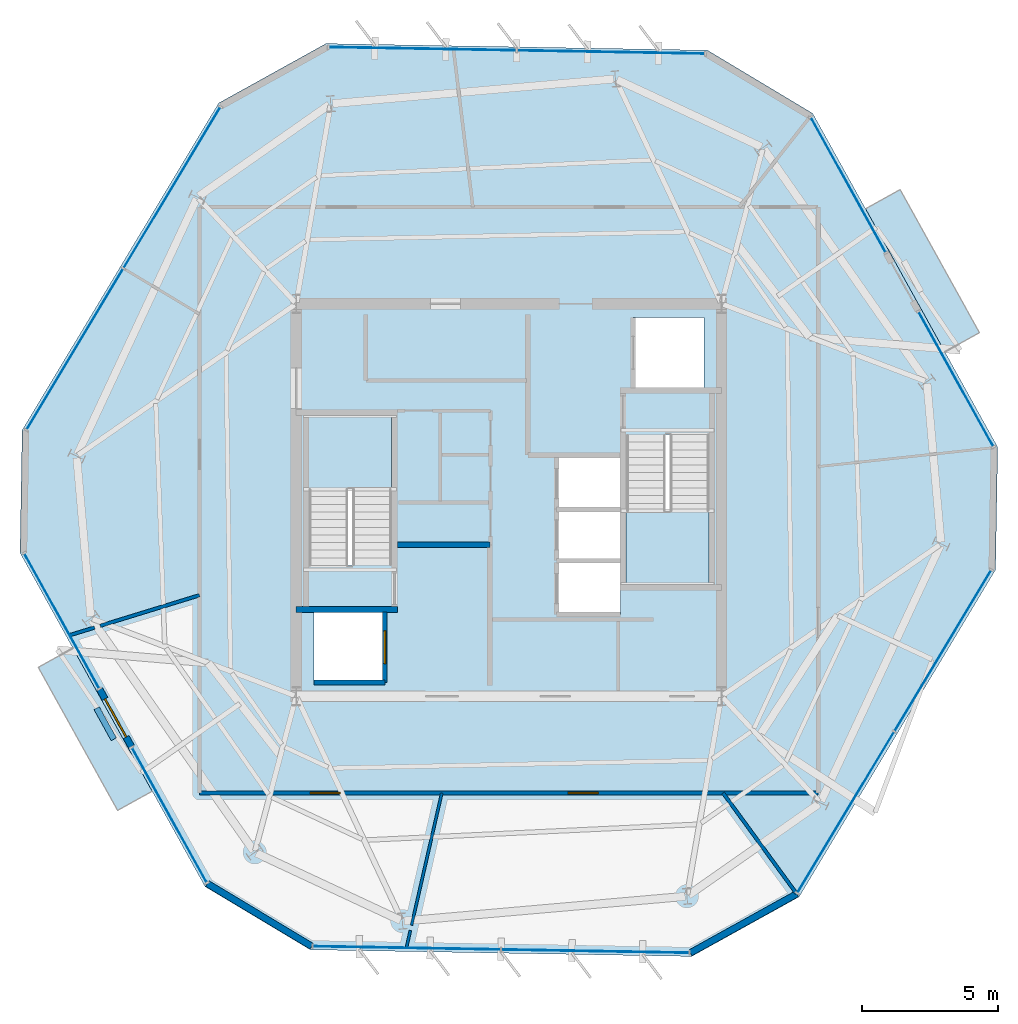
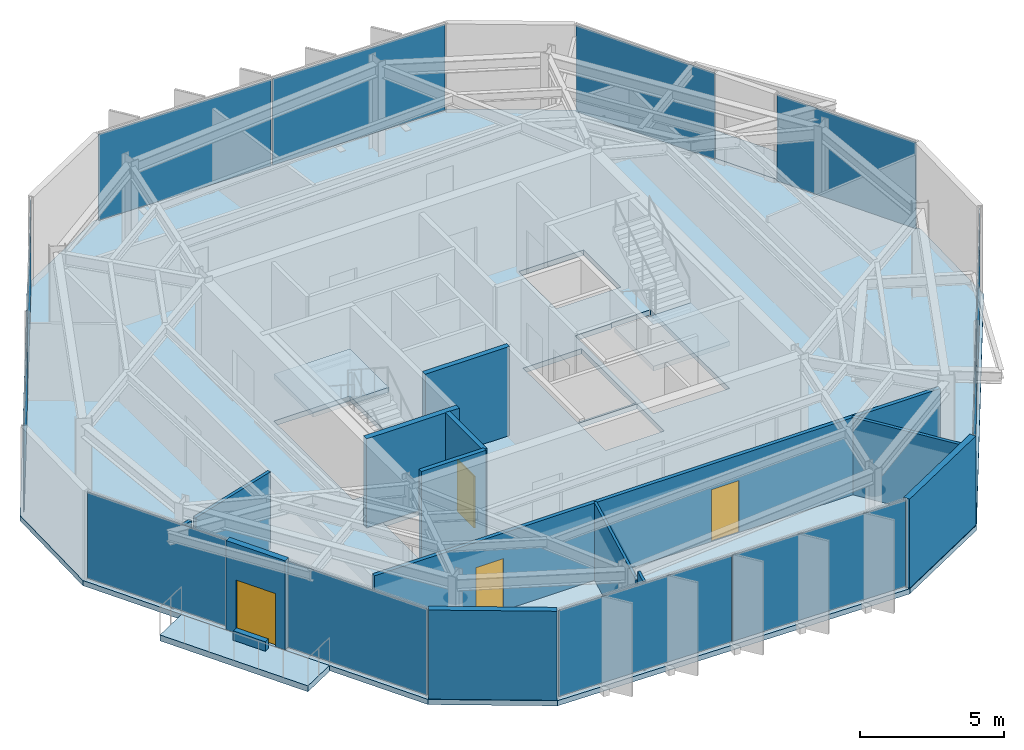
# One storey, part 6 of 10: 14 walls, 12 plates, 5 slabs, 4 doors, 4 openings, 10 elements without a shape of their own.
"""IFC4 building model written with IfcOpenShell, lengths in metres."""

from ifc_helpers import new_model, si_unit, direction, frame, frame_2d, origin, origin_2d, place, context, subcontext, project, spatial, polyline, rectangle, outline, extrude, material, layer, layer_set, type_object, element, fill, aggregate, save


model = new_model("IFC4")

# Units and contexts
model_context = context("Model", 3, precision=1e-05, world=origin(), true_north=direction((0.0, 1.0)))
body_context = subcontext(model_context, "Body", "Model", "MODEL_VIEW")
ifc_project = project(units=[si_unit("LENGTHUNIT", "METRE"), si_unit("AREAUNIT", "SQUARE_METRE"), si_unit("VOLUMEUNIT", "CUBIC_METRE"), si_unit("PLANEANGLEUNIT", "RADIAN"), si_unit("MASSUNIT", "GRAM", prefix="KILO")], contexts=[model_context])

# Site, building, storey
site_placement = place(None, origin())
site = spatial("IfcSite", under=ifc_project, at=site_placement, CompositionType="ELEMENT")
building_placement = place(site_placement, origin())
building = spatial("IfcBuilding", under=site, at=building_placement, Name="Kranzbogen Civic Tower", CompositionType="ELEMENT")
storey_placement = place(building_placement, frame((0.0, 0.0, 262.199951171875)))
storey = spatial("IfcBuildingStorey", under=building, at=storey_placement, Name="L63", CompositionType="ELEMENT", Elevation=262.199951171875)

# Slab
ifc_material_1 = material(Name="Concrete C40/50", Category="concrete")
ifc_layer_1 = layer(ifc_material_1, 0.219970703125, Name="Concrete C40/50")
ifc_layer_set_1 = layer_set([ifc_layer_1], Name="Concrete C40/50")
slab_type_1 = type_object("IfcSlabType", Name="Composite Upper Tower Floor Slab 220 mm", PredefinedType="FLOOR", material=ifc_layer_set_1)
slab_1_placement = place(storey_placement, frame((0.0, 0.0, -0.219970703125)))
element("IfcSlab", 1, at=slab_1_placement, inside=storey, type_object=slab_type_1, Name="L63 tower floor slab", PredefinedType="FLOOR", context=body_context, shape_type="SweptSolid", body=[
    extrude(outline(polyline([(32.2890625, 41.5), (18.291015625, 41.7451171875), (14.35498046875, 39.56298828125), (7.14404296875, 27.56201171875), (7.06591796875, 23.06298828125), (13.85302734375, 10.81689453125), (17.7109375, 8.5), (31.708984375, 8.2548828125), (35.64501953125, 10.43701171875), (42.85595703125, 22.43798828125), (42.93408203125, 26.93701171875), (36.14697265625, 39.18310546875), (32.2890625, 41.5)]), holes=[polyline([(17.85009765625, 20.89990234375), (20.449951171875, 20.89990234375), (20.449951171875, 18.300048828125), (17.85009765625, 18.300048828125), (17.85009765625, 20.89990234375)]), polyline([(29.10009765625, 22.699951171875), (29.10009765625, 20.800048828125), (26.75, 20.800048828125), (26.75, 22.699951171875), (29.10009765625, 22.699951171875)]), polyline([(29.10009765625, 24.64990234375), (29.10009765625, 22.77490234375), (26.75, 22.77490234375), (26.75, 24.64990234375), (26.75, 24.675048828125), (26.75, 26.550048828125), (29.10009765625, 26.550048828125), (29.10009765625, 24.675048828125), (29.10009765625, 24.64990234375)]), polyline([(29.300048828125, 27.340087890625), (30.75, 27.340087890625), (30.75, 27.39990234375), (32.35009765625, 27.39990234375), (32.35009765625, 21.89990234375), (29.300048828125, 21.89990234375), (29.300048828125, 27.340087890625)]), polyline([(20.699951171875, 22.659912109375), (19.25, 22.659912109375), (19.25, 22.60009765625), (17.64990234375, 22.60009765625), (17.64990234375, 28.10009765625), (20.699951171875, 28.10009765625), (20.699951171875, 22.659912109375)]), polyline([(32.14990234375, 31.699951171875), (32.14990234375, 29.10009765625), (29.550048828125, 29.10009765625), (29.550048828125, 31.699951171875), (32.14990234375, 31.699951171875)])]), origin(), (0.0, 0.0, 1.0), 0.219970703125),
])

# Curtain wall, plates
ifc_material_2 = material(Name="Pale Anodised Aluminium", Category="aluminium")
ifc_layer_2 = layer(ifc_material_2, 0.219970703125, Name="Pale Anodised Aluminium")
ifc_layer_set_2 = layer_set([ifc_layer_2], Name="Pale Anodised Aluminium")
curtain_wall_type = type_object("IfcCurtainWallType", Name="Zone 4 Stick Curtain Wall System CW-05", PredefinedType="USERDEFINED", material=ifc_layer_set_2)
curtain_wall_1_placement = place(storey_placement, origin())
curtain_wall_1 = element("IfcCurtainWall", 2, at=curtain_wall_1_placement, inside=storey, type_object=curtain_wall_type, Name="L63 curtain wall CW-L63-F1", ObjectType="STICK CURTAIN WALL", PredefinedType="USERDEFINED")
ifc_material_3 = material(Name="Low-E Triple Glazing Glass", Category="glass")
ifc_layer_3 = layer(ifc_material_3, 0.028076171875, Name="Low-E Triple Glazing Glass")
ifc_layer_set_3 = layer_set([ifc_layer_3], Name="Low-E Triple Glazing Glass")
plate_type = type_object("IfcPlateType", Name="Insulated Low-E Glazing Panel 28 mm", PredefinedType="CURTAIN_PANEL", material=ifc_layer_set_3)
plate_1_placement = place(storey_placement, frame((28.744873046875, 41.43310546875, 0.06005859375), z_axis=(0.0, 0.0, 1.0), x_axis=(-0.999846982569, 0.017493182866, 0.0)))
plate_1 = element("IfcPlate", 3, at=plate_1_placement, type_object=plate_type, Name="CW-05 panel 1.1", PredefinedType="CURTAIN_PANEL", context=body_context, shape_type="SweptSolid", body=[
    extrude(rectangle(XDim=6.85546875, YDim=0.028076171875, at=origin_2d()), origin(), (0.0, 0.0, 1.0), 3.659912109375),
])
plate_2_placement = place(storey_placement, frame((21.830322265625, 41.553955078125, 0.06005859375), z_axis=(0.0, 0.0, 1.0), x_axis=(-0.999846982569, 0.017493182866, 0.0)))
plate_2 = element("IfcPlate", 4, at=plate_2_placement, type_object=plate_type, Name="CW-05 panel 2.1", PredefinedType="CURTAIN_PANEL", context=body_context, shape_type="SweptSolid", body=[
    extrude(rectangle(XDim=6.85546875, YDim=0.028076171875, at=origin_2d()), origin(), (0.0, 0.0, 1.0), 3.659912109375),
])
aggregate(curtain_wall_1, [plate_1, plate_2])

curtain_wall_2_placement = place(storey_placement, origin())
curtain_wall_2 = element("IfcCurtainWall", 5, at=curtain_wall_2_placement, inside=storey, type_object=curtain_wall_type, Name="L63 curtain wall CW-L63-F2", ObjectType="STICK CURTAIN WALL", PredefinedType="USERDEFINED")
plate_3_placement = place(storey_placement, frame((12.6416015625, 36.460205078125, 0.06005859375), z_axis=(0.0, 0.0, 1.0), x_axis=(-0.515035522979, -0.857168834052, 0.0)))
plate_3 = element("IfcPlate", 6, at=plate_3_placement, type_object=plate_type, Name="CW-05 panel 1.1", PredefinedType="CURTAIN_PANEL", context=body_context, shape_type="SweptSolid", body=[
    extrude(rectangle(XDim=6.856201171875, YDim=0.028076171875, at=origin_2d()), origin(), (0.0, 0.0, 1.0), 3.659912109375),
])
plate_4_placement = place(storey_placement, frame((9.07958984375, 30.53173828125, 0.06005859375), z_axis=(0.0, 0.0, 1.0), x_axis=(-0.515035522979, -0.857168834052, 0.0)))
plate_4 = element("IfcPlate", 7, at=plate_4_placement, type_object=plate_type, Name="CW-05 panel 2.1", PredefinedType="CURTAIN_PANEL", context=body_context, shape_type="SweptSolid", body=[
    extrude(rectangle(XDim=6.856201171875, YDim=0.028076171875, at=origin_2d()), origin(), (0.0, 0.0, 1.0), 3.659912109375),
])
aggregate(curtain_wall_2, [plate_3, plate_4])

# Curtain wall, plate
curtain_wall_3_placement = place(storey_placement, origin())
curtain_wall_3 = element("IfcCurtainWall", 8, at=curtain_wall_3_placement, inside=storey, type_object=curtain_wall_type, Name="L63 curtain wall CW-L63-F3-S1", ObjectType="STICK CURTAIN WALL", PredefinedType="USERDEFINED")
plate_5_placement = place(storey_placement, frame((8.597900390625, 20.56494140625, 0.06005859375), z_axis=(0.0, 0.0, 1.0), x_axis=(0.484815305317, -0.874616555829, 0.0)))
plate_5 = element("IfcPlate", 9, at=plate_5_placement, type_object=plate_type, Name="CW-05 panel 1.1", PredefinedType="CURTAIN_PANEL", context=body_context, shape_type="SweptSolid", body=[
    extrude(rectangle(XDim=5.62646484375, YDim=0.028076171875, at=origin_2d()), origin(), (0.0, 0.0, 1.0), 3.659912109375),
])
aggregate(curtain_wall_3, [plate_5])

curtain_wall_4_placement = place(storey_placement, origin())
curtain_wall_4 = element("IfcCurtainWall", 10, at=curtain_wall_4_placement, inside=storey, type_object=curtain_wall_type, Name="L63 curtain wall CW-L63-F3-S2", ObjectType="STICK CURTAIN WALL", PredefinedType="USERDEFINED")
plate_6_placement = place(storey_placement, frame((12.547119140625, 13.43994140625, 0.06005859375), z_axis=(0.0, 0.0, 1.0), x_axis=(0.484815305317, -0.874616555829, 0.0)))
plate_6 = element("IfcPlate", 11, at=plate_6_placement, type_object=plate_type, Name="CW-05 panel 1.1", PredefinedType="CURTAIN_PANEL", context=body_context, shape_type="SweptSolid", body=[
    extrude(rectangle(XDim=5.62646484375, YDim=0.028076171875, at=origin_2d()), origin(), (0.0, 0.0, 1.0), 3.659912109375),
])
aggregate(curtain_wall_4, [plate_6])

# Curtain wall, plates
curtain_wall_5_placement = place(storey_placement, origin())
curtain_wall_5 = element("IfcCurtainWall", 12, at=curtain_wall_5_placement, inside=storey, type_object=curtain_wall_type, Name="L63 curtain wall CW-L63-F4", ObjectType="STICK CURTAIN WALL", PredefinedType="USERDEFINED")
plate_7_placement = place(storey_placement, frame((21.255126953125, 8.56689453125, 0.06005859375), z_axis=(0.0, 0.0, 1.0), x_axis=(0.999846982569, -0.017493182866, 0.0)))
plate_7 = element("IfcPlate", 13, at=plate_7_placement, type_object=plate_type, Name="CW-05 panel 1.1", PredefinedType="CURTAIN_PANEL", context=body_context, shape_type="SweptSolid", body=[
    extrude(rectangle(XDim=6.85546875, YDim=0.028076171875, at=origin_2d()), origin(), (0.0, 0.0, 1.0), 3.659912109375),
])
plate_8_placement = place(storey_placement, frame((28.169677734375, 8.446044921875, 0.06005859375), z_axis=(0.0, 0.0, 1.0), x_axis=(0.999846982569, -0.017493182866, 0.0)))
plate_8 = element("IfcPlate", 14, at=plate_8_placement, type_object=plate_type, Name="CW-05 panel 2.1", PredefinedType="CURTAIN_PANEL", context=body_context, shape_type="SweptSolid", body=[
    extrude(rectangle(XDim=6.85546875, YDim=0.028076171875, at=origin_2d()), origin(), (0.0, 0.0, 1.0), 3.659912109375),
])
aggregate(curtain_wall_5, [plate_7, plate_8])

curtain_wall_6_placement = place(storey_placement, origin())
curtain_wall_6 = element("IfcCurtainWall", 15, at=curtain_wall_6_placement, inside=storey, type_object=curtain_wall_type, Name="L63 curtain wall CW-L63-F5", ObjectType="STICK CURTAIN WALL", PredefinedType="USERDEFINED")
plate_9_placement = place(storey_placement, frame((37.3583984375, 13.539794921875, 0.06005859375), z_axis=(0.0, 0.0, 1.0), x_axis=(0.515035522979, 0.857168834052, 0.0)))
plate_9 = element("IfcPlate", 16, at=plate_9_placement, type_object=plate_type, Name="CW-05 panel 1.1", PredefinedType="CURTAIN_PANEL", context=body_context, shape_type="SweptSolid", body=[
    extrude(rectangle(XDim=6.856201171875, YDim=0.028076171875, at=origin_2d()), origin(), (0.0, 0.0, 1.0), 3.659912109375),
])
plate_10_placement = place(storey_placement, frame((40.92041015625, 19.46826171875, 0.06005859375), z_axis=(0.0, 0.0, 1.0), x_axis=(0.515035522979, 0.857168834052, 0.0)))
plate_10 = element("IfcPlate", 17, at=plate_10_placement, type_object=plate_type, Name="CW-05 panel 2.1", PredefinedType="CURTAIN_PANEL", context=body_context, shape_type="SweptSolid", body=[
    extrude(rectangle(XDim=6.856201171875, YDim=0.028076171875, at=origin_2d()), origin(), (0.0, 0.0, 1.0), 3.659912109375),
])
aggregate(curtain_wall_6, [plate_9, plate_10])

# Curtain wall, plate
curtain_wall_7_placement = place(storey_placement, origin())
curtain_wall_7 = element("IfcCurtainWall", 18, at=curtain_wall_7_placement, inside=storey, type_object=curtain_wall_type, Name="L63 curtain wall CW-L63-F6-S1", ObjectType="STICK CURTAIN WALL", PredefinedType="USERDEFINED")
plate_11_placement = place(storey_placement, frame((41.402099609375, 29.43505859375, 0.06005859375), z_axis=(0.0, 0.0, 1.0), x_axis=(-0.484815305317, 0.874616555829, 0.0)))
plate_11 = element("IfcPlate", 19, at=plate_11_placement, type_object=plate_type, Name="CW-05 panel 1.1", PredefinedType="CURTAIN_PANEL", context=body_context, shape_type="SweptSolid", body=[
    extrude(rectangle(XDim=5.62646484375, YDim=0.028076171875, at=origin_2d()), origin(), (0.0, 0.0, 1.0), 3.659912109375),
])
aggregate(curtain_wall_7, [plate_11])

curtain_wall_8_placement = place(storey_placement, origin())
curtain_wall_8 = element("IfcCurtainWall", 20, at=curtain_wall_8_placement, inside=storey, type_object=curtain_wall_type, Name="L63 curtain wall CW-L63-F6-S2", ObjectType="STICK CURTAIN WALL", PredefinedType="USERDEFINED")
plate_12_placement = place(storey_placement, frame((37.452880859375, 36.56005859375, 0.06005859375), z_axis=(0.0, 0.0, 1.0), x_axis=(-0.484815305317, 0.874616555829, 0.0)))
plate_12 = element("IfcPlate", 21, at=plate_12_placement, type_object=plate_type, Name="CW-05 panel 1.1", PredefinedType="CURTAIN_PANEL", context=body_context, shape_type="SweptSolid", body=[
    extrude(rectangle(XDim=5.62646484375, YDim=0.028076171875, at=origin_2d()), origin(), (0.0, 0.0, 1.0), 3.659912109375),
])
aggregate(curtain_wall_8, [plate_12])

# Stair, slab
ifc_material_4 = material(Name="Precast concrete C40/50", Category="concrete")
stair_type_1 = type_object("IfcStairType", Name="Tower Core Pressurized Dogleg Stair 1450", PredefinedType="HALF_TURN_STAIR", material=ifc_material_4)
stair_1_placement = place(storey_placement, origin())
stair_1 = element("IfcStair", 22, at=stair_1_placement, inside=storey, type_object=stair_type_1, Name="L63 Tower Core Pressurized Stair 1", PredefinedType="HALF_TURN_STAIR")
ifc_layer_4 = layer(ifc_material_4, 0.199951171875, Name="Precast concrete C40/50")
ifc_layer_set_4 = layer_set([ifc_layer_4], Name="Precast concrete C40/50")
slab_type_2 = type_object("IfcSlabType", Name="Precast Concrete Stair Landing Slab 200 mm", PredefinedType="LANDING", material=ifc_layer_set_4)
slab_2_placement = place(storey_placement, frame((0.0, 0.0, 1.800048828125)))
slab_2 = element("IfcSlab", 23, at=slab_2_placement, type_object=slab_type_2, Name="ST-T1 landing 1", PredefinedType="LANDING", context=body_context, shape_type="SweptSolid", body=[
    extrude(outline(polyline([(20.699951171875, 25.39990234375), (20.699951171875, 28.10009765625), (17.64990234375, 28.10009765625), (17.64990234375, 25.39990234375), (20.699951171875, 25.39990234375)])), origin(), (0.0, 0.0, 1.0), 0.199951171875),
])
aggregate(stair_1, [slab_2])

stair_type_2 = type_object("IfcStairType", Name="Tower Core Secondary Dogleg Stair 1450", PredefinedType="HALF_TURN_STAIR", material=ifc_material_4)
stair_2_placement = place(storey_placement, origin())
stair_2 = element("IfcStair", 24, at=stair_2_placement, inside=storey, type_object=stair_type_2, Name="L63 Tower Core Pressurized Stair 2", PredefinedType="HALF_TURN_STAIR")
slab_3_placement = place(storey_placement, frame((0.0, 0.0, 1.800048828125)))
slab_3 = element("IfcSlab", 25, at=slab_3_placement, type_object=slab_type_2, Name="ST-T2 landing 1", PredefinedType="LANDING", context=body_context, shape_type="SweptSolid", body=[
    extrude(outline(polyline([(29.300048828125, 24.60009765625), (29.300048828125, 21.89990234375), (32.35009765625, 21.89990234375), (32.35009765625, 24.60009765625), (29.300048828125, 24.60009765625)])), origin(), (0.0, 0.0, 1.0), 0.199951171875),
])
aggregate(stair_2, [slab_3])

# Slabs
ifc_layer_5 = layer(ifc_material_1, 0.25, Name="Concrete C40/50")
ifc_layer_set_5 = layer_set([ifc_layer_5], Name="Concrete C40/50")
slab_type_3 = type_object("IfcSlabType", Name="Tree Balcony Cantilevered Slab 250 mm", PredefinedType="FLOOR", material=ifc_layer_set_5)
slab_4_placement = place(storey_placement, frame((0.0, 0.0, -0.25)))
element("IfcSlab", 26, at=slab_4_placement, inside=storey, type_object=slab_type_3, Name="L63 cantilevered tree balcony L63-TB1", PredefinedType="FLOOR", context=body_context, shape_type="SweptSolid", body=[
    extrude(outline(polyline([(40.9951171875, 30.43603515625), (38.0859375, 35.68408203125), (39.35400390625, 36.386962890625), (42.262939453125, 31.138916015625), (40.9951171875, 30.43603515625)])), origin(), (0.0, 0.0, 1.0), 0.25),
])
slab_5_placement = place(storey_placement, frame((0.0, 0.0, -0.25)))
element("IfcSlab", 27, at=slab_5_placement, inside=storey, type_object=slab_type_3, Name="L63 cantilevered tree balcony L63-TB2", PredefinedType="FLOOR", context=body_context, shape_type="SweptSolid", body=[
    extrude(outline(polyline([(9.0048828125, 19.56396484375), (11.9140625, 14.31591796875), (10.64599609375, 13.613037109375), (7.737060546875, 18.861083984375), (9.0048828125, 19.56396484375)])), origin(), (0.0, 0.0, 1.0), 0.25),
])

# Wall, openings, doors
ifc_material_5 = material(Name="Double-Stud Acoustic Gypsum Partition")
ifc_layer_6 = layer(ifc_material_5, 0.14990234375, Name="Double-Stud Acoustic Gypsum Partition")
ifc_layer_set_6 = layer_set([ifc_layer_6], Name="Double-Stud Acoustic Gypsum Partition")
wall_type_1 = type_object("IfcWallType", Name="Acoustic Corridor and Clinical Partition 150 mm", PredefinedType="PARTITIONING", material=ifc_layer_set_6)
wall_1_placement = place(storey_placement, frame((36.35009765625, 14.25, 0.0), z_axis=(0.0, 0.0, 1.0), x_axis=(-1.0, 0.0, 0.0)))
wall_1 = element("IfcWall", 28, at=wall_1_placement, inside=storey, type_object=wall_type_1, Name="L63 corridor partition 03", PredefinedType="PARTITIONING", context=body_context, shape_type="SweptSolid", body=[
    extrude(rectangle(XDim=22.7001953125, YDim=0.14990234375, at=frame_2d((11.35009765625, 0.0))), origin(), (0.0, 0.0, 1.0), 3.280029296875),
])
opening_1_placement = place(wall_1_placement, frame((17.530029296875, 0.0, 0.0)))
opening_1 = element("IfcOpeningElement", 29, at=opening_1_placement, cuts=wall_1, Name="Opening D-COR60", PredefinedType="OPENING", context=body_context, shape_type="SweptSolid", body=[
    extrude(rectangle(XDim=1.10009765625, YDim=2.199951171875, at=frame_2d((0.550048828125, 1.10009765625))), frame((0.0, 0.0849609375, 0.0), z_axis=(0.0, -1.0, 0.0), x_axis=(1.0, 0.0, 0.0)), (0.0, 0.0, 1.0), 0.169921875),
])
opening_2_placement = place(wall_1_placement, frame((8.077880859375, 0.0, 0.0)))
opening_2 = element("IfcOpeningElement", 30, at=opening_2_placement, cuts=wall_1, Name="Opening D-COR60", PredefinedType="OPENING", context=body_context, shape_type="SweptSolid", body=[
    extrude(rectangle(XDim=1.10009765625, YDim=2.199951171875, at=frame_2d((0.550048828125, 1.10009765625))), frame((0.0, 0.0849609375, 0.0), z_axis=(0.0, -1.0, 0.0), x_axis=(1.0, 0.0, 0.0)), (0.0, 0.0, 1.0), 0.169921875),
])
ifc_material_6 = material(Name="Oak Timber and Fire Core", Category="wood")
door_type_1 = type_object("IfcDoorType", Name="Corridor Acoustic Fire Door 1100x2200", OperationType="NOTDEFINED", PredefinedType="DOOR", material=ifc_material_6)
door_1_placement = place(opening_1_placement, origin())
door_1 = element("IfcDoor", 31, at=door_1_placement, inside=storey, type_object=door_type_1, Name="L63 Public Delegation Reception door", OperationType="SINGLE_SWING_RIGHT", OverallHeight=2.199951171875, OverallWidth=1.10009765625, PredefinedType="DOOR", context=body_context, shape_type="SweptSolid", body=[
    extrude(rectangle(XDim=1.10009765625, YDim=2.199951171875, at=frame_2d((0.550048828125, 1.10009765625))), frame((0.0, 0.02490234375, 0.0), z_axis=(0.0, -1.0, 0.0), x_axis=(1.0, 0.0, 0.0)), (0.0, 0.0, 1.0), 0.050048828125),
])
fill(opening_1, door_1)
door_2_placement = place(opening_2_placement, origin())
door_2 = element("IfcDoor", 32, at=door_2_placement, inside=storey, type_object=door_type_1, Name="L63 Visitor Concierge Foyer door", OperationType="SINGLE_SWING_LEFT", OverallHeight=2.199951171875, OverallWidth=1.10009765625, PredefinedType="DOOR", context=body_context, shape_type="SweptSolid", body=[
    extrude(rectangle(XDim=1.10009765625, YDim=2.199951171875, at=frame_2d((0.550048828125, 1.10009765625))), frame((0.0, 0.02490234375, 0.0), z_axis=(0.0, -1.0, 0.0), x_axis=(1.0, 0.0, 0.0)), (0.0, 0.0, 1.0), 0.050048828125),
])
fill(opening_2, door_2)

# Walls
ifc_material_7 = material(Name="Insulated Metal-Stud Gypsum Partition")
ifc_layer_7 = layer(ifc_material_7, 0.125, Name="Insulated Metal-Stud Gypsum Partition")
ifc_layer_set_7 = layer_set([ifc_layer_7], Name="Insulated Metal-Stud Gypsum Partition")
wall_type_2 = type_object("IfcWallType", Name="Acoustic Inter-Room Partition 125 mm", PredefinedType="PARTITIONING", material=ifc_layer_set_7)
wall_2_placement = place(storey_placement, frame((13.64990234375, 21.506103515625, 0.0), z_axis=(0.0, 0.0, 1.0), x_axis=(-0.955712527057, -0.294301827427, 0.0)))
element("IfcWall", 33, at=wall_2_placement, inside=storey, type_object=wall_type_2, Name="L63 radial room partition 03 part 1", PredefinedType="PARTITIONING", context=body_context, shape_type="SweptSolid", body=[
    extrude(rectangle(XDim=3.812744140625, YDim=0.125, at=frame_2d((1.90625, 0.0))), origin(), (0.0, 0.0, 1.0), 3.280029296875),
])
wall_3_placement = place(storey_placement, frame((9.801025390625, 20.321044921875, 0.0), z_axis=(0.0, 0.0, 1.0), x_axis=(-0.955739628223, -0.294213804986, 0.0)))
element("IfcWall", 34, at=wall_3_placement, inside=storey, type_object=wall_type_2, Name="L63 radial room partition 03 part 2", PredefinedType="PARTITIONING", context=body_context, shape_type="SweptSolid", body=[
    extrude(rectangle(XDim=0.9384765625, YDim=0.125, at=frame_2d((0.46923828125, 0.0))), origin(), (0.0, 0.0, 1.0), 3.280029296875),
])
wall_4_placement = place(storey_placement, frame((32.85791015625, 14.25, 0.0), z_axis=(0.0, 0.0, 1.0), x_axis=(0.590080941399, -0.807344091821, 0.0)))
element("IfcWall", 35, at=wall_4_placement, inside=storey, type_object=wall_type_2, Name="L63 radial room partition 05", PredefinedType="PARTITIONING", context=body_context, shape_type="SweptSolid", body=[
    extrude(rectangle(XDim=4.565673828125, YDim=0.125, at=frame_2d((2.28271484375, 0.0))), origin(), (0.0, 0.0, 1.0), 3.280029296875),
])
ifc_material_8 = material(Name="Architectural Precast Terracotta Concrete C40/50", Category="masonry")
ifc_layer_8 = layer(ifc_material_8, 0.219970703125, Name="Architectural Precast Terracotta Concrete C40/50")
ifc_layer_set_8 = layer_set([ifc_layer_8], Name="Architectural Precast Terracotta Concrete C40/50")
wall_type_3 = type_object("IfcWallType", Name="Architectural Tree Planter Kerb Wall 220 mm", PredefinedType="USERDEFINED", material=ifc_layer_set_8)
wall_5_placement = place(storey_placement, frame((9.8779296875, 17.361083984375, 0.0), z_axis=(0.0, 0.0, 1.0), x_axis=(0.484351793237, -0.874873328195, 0.0)))
element("IfcWall", 36, at=wall_5_placement, inside=storey, type_object=wall_type_3, Name="L63 landscaped tree balcony planter L63-TB2", ObjectType="PLANTER_WALL", PredefinedType="USERDEFINED", context=body_context, shape_type="SweptSolid", body=[
    extrude(rectangle(XDim=1.301025390625, YDim=0.219970703125, at=frame_2d((0.650390625, 0.0))), origin(), (0.0, 0.0, 1.0), 0.400146484375),
])
ifc_material_9 = material(Name="Concrete C45/55", Category="concrete")
ifc_layer_9 = layer(ifc_material_9, 0.219970703125, Name="Concrete C45/55")
ifc_layer_set_9 = layer_set([ifc_layer_9], Name="Concrete C45/55")
wall_type_4 = type_object("IfcWallType", Name="Core Internal Stair Structural Wall 220 mm", PredefinedType="SOLIDWALL", material=ifc_layer_set_9)
wall_6_placement = place(storey_placement, frame((17.199951171875, 20.989990234375, 0.0), z_axis=(0.0, 0.0, 1.0), x_axis=(1.0, 0.0, 0.0)))
element("IfcWall", 37, at=wall_6_placement, inside=storey, type_object=wall_type_4, Name="L63 ST-T1 South structural stair wall", PredefinedType="SOLIDWALL", context=body_context, shape_type="SweptSolid", body=[
    extrude(rectangle(XDim=3.719970703125, YDim=0.219970703125, at=frame_2d((1.85986328125, 0.0))), origin(), (0.0, 0.0, 1.0), 3.780029296875),
])
ifc_material_10 = material(Name="Demountable Aluminium and Gypsum Partition", Category="aluminium")
ifc_layer_10 = layer(ifc_material_10, 0.10009765625, Name="Demountable Aluminium and Gypsum Partition")
ifc_layer_set_10 = layer_set([ifc_layer_10], Name="Demountable Aluminium and Gypsum Partition")
wall_type_5 = type_object("IfcWallType", Name="Demountable Office Partition 100 mm", PredefinedType="MOVABLE", material=ifc_layer_set_10)
wall_7_placement = place(storey_placement, frame((22.5400390625, 14.25, 0.0), z_axis=(0.0, 0.0, 1.0), x_axis=(-0.222970058827, -0.97482529351, 0.0)))
element("IfcWall", 38, at=wall_7_placement, inside=storey, type_object=wall_type_5, Name="L63 radial room partition 04 part 1", PredefinedType="MOVABLE", context=body_context, shape_type="SweptSolid", body=[
    extrude(rectangle(XDim=4.974365234375, YDim=0.10009765625, at=frame_2d((2.4873046875, 0.0))), origin(), (0.0, 0.0, 1.0), 3.280029296875),
])
wall_8_placement = place(storey_placement, frame((21.386962890625, 9.2099609375, 0.0), z_axis=(0.0, 0.0, 1.0), x_axis=(-0.222474296585, -0.974938555684, 0.0)))
element("IfcWall", 39, at=wall_8_placement, inside=storey, type_object=wall_type_5, Name="L63 radial room partition 04 part 2", PredefinedType="MOVABLE", context=body_context, shape_type="SweptSolid", body=[
    extrude(rectangle(XDim=0.64306640625, YDim=0.10009765625, at=frame_2d((0.321533203125, 0.0))), origin(), (0.0, 0.0, 1.0), 3.780029296875),
])
ifc_material_11 = material(Name="Gypsum Fireboard and Concrete Block", Category="concrete")
ifc_layer_11 = layer(ifc_material_11, 0.199951171875, Name="Gypsum Fireboard and Concrete Block")
ifc_layer_set_11 = layer_set([ifc_layer_11], Name="Gypsum Fireboard and Concrete Block")
wall_type_6 = type_object("IfcWallType", Name="Fire-Rated Exit Passageway and Stair Wall 200 mm", PredefinedType="PARTITIONING", material=ifc_layer_set_11)
wall_9_placement = place(storey_placement, frame((20.919921875, 23.35009765625, 0.0), z_axis=(0.0, 0.0, 1.0), x_axis=(1.0, 0.0, 0.0)))
element("IfcWall", 40, at=wall_9_placement, inside=storey, type_object=wall_type_6, Name="L63 West firefighting lobby North wall", PredefinedType="PARTITIONING", context=body_context, shape_type="SweptSolid", body=[
    extrude(rectangle(XDim=3.380126953125, YDim=0.199951171875, at=frame_2d((1.68994140625, 0.0))), origin(), (0.0, 0.0, 1.0), 3.780029296875),
])

# Wall, opening, door
ifc_material_12 = material(Name="Gypsum Fireboard Shaftliner")
ifc_layer_12 = layer(ifc_material_12, 0.175048828125, Name="Gypsum Fireboard Shaftliner")
ifc_layer_set_12 = layer_set([ifc_layer_12], Name="Gypsum Fireboard Shaftliner")
wall_type_7 = type_object("IfcWallType", Name="Fire-Rated Lift and Service Shaft Wall 175 mm", PredefinedType="PARTITIONING", material=ifc_layer_set_12)
wall_10_placement = place(storey_placement, frame((20.449951171875, 18.300048828125, 0.0), z_axis=(0.0, 0.0, 1.0), x_axis=(0.0, 1.0, 0.0)))
wall_10 = element("IfcWall", 41, at=wall_10_placement, inside=storey, type_object=wall_type_7, Name="L63 lift FF-01 landing wall", PredefinedType="PARTITIONING", context=body_context, shape_type="SweptSolid", body=[
    extrude(rectangle(XDim=2.599853515625, YDim=0.175048828125, at=frame_2d((1.2998046875, 0.0))), origin(), (0.0, 0.0, 1.0), 3.780029296875),
])
opening_3_placement = place(wall_10_placement, frame((0.699951171875, 0.0, 0.0)))
opening_3 = element("IfcOpeningElement", 42, at=opening_3_placement, cuts=wall_10, Name="Opening LD-FF-01", PredefinedType="OPENING", context=body_context, shape_type="SweptSolid", body=[
    extrude(rectangle(XDim=1.199951171875, YDim=2.199951171875, at=frame_2d((0.60009765625, 1.10009765625))), frame((0.0, 0.09765625, 0.0), z_axis=(0.0, -1.0, 0.0), x_axis=(1.0, 0.0, 0.0)), (0.0, 0.0, 1.0), 0.195068359375),
])
door_type_2 = type_object("IfcDoorType", Name="Firefighting and Stretcher Lift Sliding Landing Door 1200x2200", OperationType="DOUBLE_DOOR_SLIDING", PredefinedType="DOOR", material=ifc_material_2)
door_3_placement = place(opening_3_placement, origin())
door_3 = element("IfcDoor", 43, at=door_3_placement, inside=storey, type_object=door_type_2, Name="L63 lift FF-01 sliding landing door", OperationType="DOUBLE_DOOR_SLIDING", OverallHeight=2.199951171875, OverallWidth=1.199951171875, PredefinedType="DOOR", context=body_context, shape_type="SweptSolid", body=[
    extrude(rectangle(XDim=1.199951171875, YDim=2.199951171875, at=frame_2d((0.60009765625, 1.10009765625))), frame((0.0, 0.02490234375, 0.0), z_axis=(0.0, -1.0, 0.0), x_axis=(1.0, 0.0, 0.0)), (0.0, 0.0, 1.0), 0.050048828125),
])
fill(opening_3, door_3)

# Wall
wall_11_placement = place(storey_placement, frame((17.85009765625, 18.300048828125, 0.0), z_axis=(0.0, 0.0, 1.0), x_axis=(1.0, 0.0, 0.0)))
element("IfcWall", 44, at=wall_11_placement, inside=storey, type_object=wall_type_7, Name="L63 lift FF-01 side wall", PredefinedType="PARTITIONING", context=body_context, shape_type="SweptSolid", body=[
    extrude(rectangle(XDim=2.599853515625, YDim=0.175048828125, at=frame_2d((1.2998046875, 0.0))), origin(), (0.0, 0.0, 1.0), 3.780029296875),
])

# Wall, opening, door
ifc_layer_13 = layer(ifc_material_2, 0.239990234375, Name="Pale Anodised Aluminium")
ifc_layer_set_13 = layer_set([ifc_layer_13], Name="Pale Anodised Aluminium")
wall_type_8 = type_object("IfcWallType", Name="Insulated Aluminium Facade Portal Wall 240 mm", PredefinedType="STANDARD", material=ifc_layer_set_13)
wall_12_placement = place(storey_placement, frame((9.990966796875, 18.052001953125, 0.0), z_axis=(0.0, 0.0, 1.0), x_axis=(0.484657920522, -0.874703778473, 0.0)))
wall_12 = element("IfcWall", 45, at=wall_12_placement, inside=storey, type_object=wall_type_8, Name="L63 exterior entrance portal wall 1", PredefinedType="STANDARD", context=body_context, shape_type="SweptSolid", body=[
    extrude(rectangle(XDim=2.39990234375, YDim=0.239990234375, at=frame_2d((1.199951171875, 0.0))), origin(), (0.0, 0.0, 1.0), 3.780029296875),
])
opening_4_placement = place(wall_12_placement, frame((0.39990234375, 0.0, 0.0)))
opening_4 = element("IfcOpeningElement", 46, at=opening_4_placement, cuts=wall_12, Name="Opening D-TER", PredefinedType="OPENING", context=body_context, shape_type="SweptSolid", body=[
    extrude(rectangle(XDim=1.60009765625, YDim=2.25, at=frame_2d((0.800048828125, 1.125))), frame((0.0, 0.1298828125, 0.0), z_axis=(0.0, -1.0, 0.0), x_axis=(1.0, 0.0, 0.0)), (0.0, 0.0, 1.0), 0.260009765625),
])
ifc_material_13 = material(Name="Anodised Bronze and Triple Glass", Category="glass")
door_type_3 = type_object("IfcDoorType", Name="Glazed Terrace and Balcony Double Door 1600x2250", OperationType="DOUBLE_DOOR_SINGLE_SWING", PredefinedType="DOOR", material=ifc_material_13)
door_4_placement = place(opening_4_placement, frame((1.60009765625, 0.0, 0.0), z_axis=(0.0, 0.0, 1.0), x_axis=(-1.0, 0.0, 0.0)))
door_4 = element("IfcDoor", 47, at=door_4_placement, inside=storey, type_object=door_type_3, Name="L63 tree balcony access door L63-TB2", OperationType="DOUBLE_DOOR_SINGLE_SWING", OverallHeight=2.25, OverallWidth=1.60009765625, PredefinedType="DOOR", context=body_context, shape_type="SweptSolid", body=[
    extrude(rectangle(XDim=1.60009765625, YDim=2.25, at=frame_2d((0.800048828125, 1.125))), frame((0.0, 0.02490234375, 0.0), z_axis=(0.0, -1.0, 0.0), x_axis=(1.0, 0.0, 0.0)), (0.0, 0.0, 1.0), 0.050048828125),
])
fill(opening_4, door_4)

# Walls
wall_13_placement = place(storey_placement, frame((13.93994140625, 10.927001953125, 0.0), z_axis=(0.0, 0.0, 1.0), x_axis=(0.857275764621, -0.514857517566, 0.0)))
element("IfcWall", 48, at=wall_13_placement, inside=storey, type_object=wall_type_8, Name="L63 chamfered corner facade spandrel 3", PredefinedType="STANDARD", context=body_context, shape_type="SweptSolid", body=[
    extrude(rectangle(XDim=4.46533203125, YDim=0.239990234375, at=frame_2d((2.232666015625, 0.0))), origin(), (0.0, 0.0, 1.0), 3.780029296875),
])
wall_14_placement = place(storey_placement, frame((31.656982421875, 8.385009765625, 0.0), z_axis=(0.0, 0.0, 1.0), x_axis=(0.874577351509, 0.484886023956, 0.0)))
element("IfcWall", 49, at=wall_14_placement, inside=storey, type_object=wall_type_8, Name="L63 chamfered corner facade spandrel 4", PredefinedType="STANDARD", context=body_context, shape_type="SweptSolid", body=[
    extrude(rectangle(XDim=4.465087890625, YDim=0.239990234375, at=frame_2d((2.232421875, 0.0))), origin(), (0.0, 0.0, 1.0), 3.780029296875),
])

save(model, "model.ifc")
